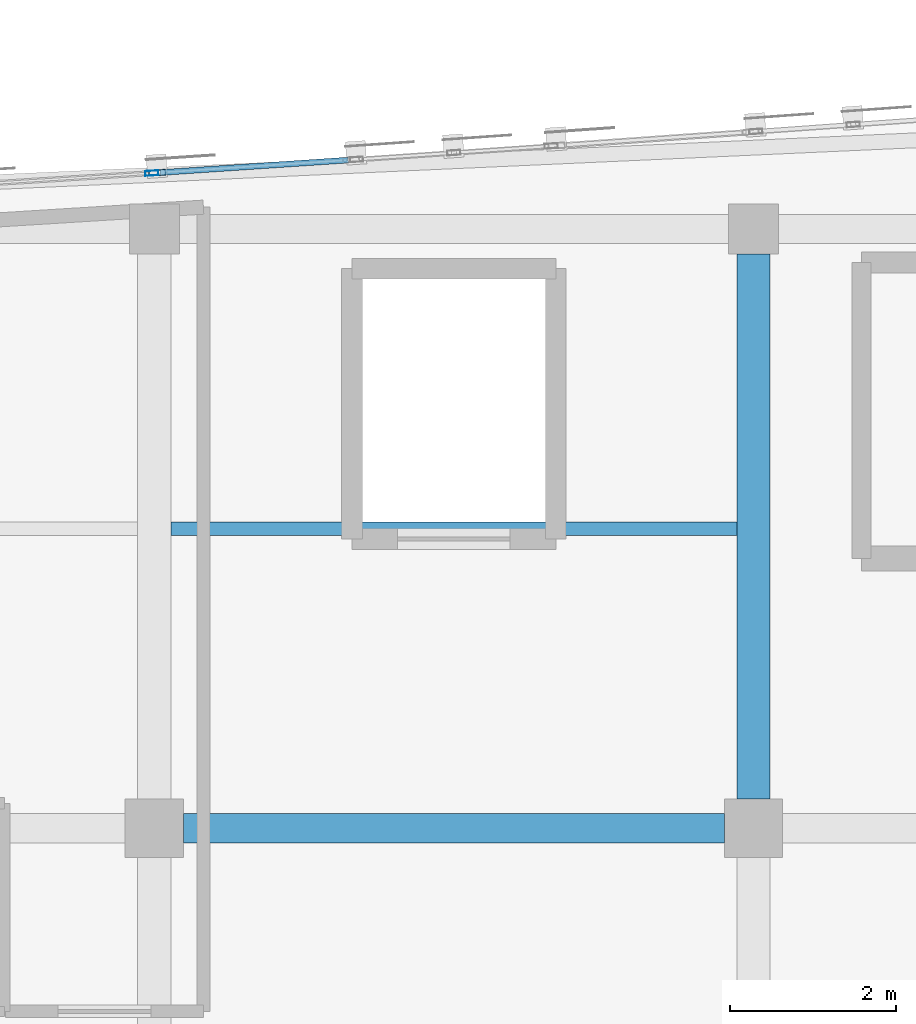
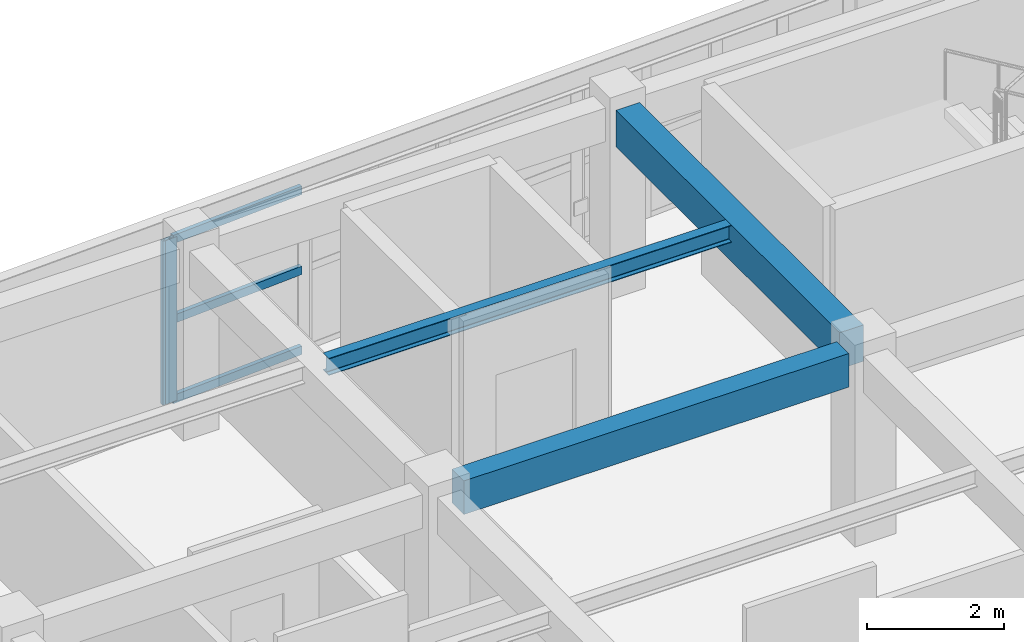
# One storey, part 11 of 73: 5 members, 3 beams, 2 elements without a shape of their own.
"""IFC4 building model written with IfcOpenShell, lengths in metres."""

from ifc_helpers import new_model, si_unit, direction, frame, origin, origin_2d, place, context, subcontext, project, spatial, rectangle, hollow_rectangle, i_section, extrude, material, layer, layer_set, material_profile, profile_set, type_object, element, aggregate, save


model = new_model("IFC4")

# Units and contexts
model_context = context("Model", 3, precision=1e-05, world=origin(), true_north=direction((0.0, 1.0)))
body_context = subcontext(model_context, "Body", "Model", "MODEL_VIEW")
ifc_project = project(units=[si_unit("LENGTHUNIT", "METRE"), si_unit("AREAUNIT", "SQUARE_METRE"), si_unit("VOLUMEUNIT", "CUBIC_METRE"), si_unit("PLANEANGLEUNIT", "RADIAN"), si_unit("MASSUNIT", "GRAM", prefix="KILO")], contexts=[model_context])

# Site, building, storey
site_placement = place(None, origin())
site = spatial("IfcSite", under=ifc_project, at=site_placement, CompositionType="ELEMENT")
building_placement = place(site_placement, origin())
building = spatial("IfcBuilding", under=site, at=building_placement, Name="Carrowvane Square Congress Hotel", CompositionType="ELEMENT")
storey_placement = place(building_placement, frame((0.0, 0.0, 19.199951171875)))
storey = spatial("IfcBuildingStorey", under=building, at=storey_placement, Name="L04", CompositionType="ELEMENT", Elevation=19.199951171875)

# Beams
ifc_material_1 = material(Name="Concrete C35/45", Category="concrete")
ifc_material_profile_1 = material_profile(ifc_material_1, rectangle(XDim=0.35009765625, YDim=0.60009765625, at=origin_2d()), Name="RC 350x600")
ifc_profile_set_1 = profile_set([ifc_material_profile_1], Name="Concrete C35/45")
beam_type_1 = type_object("IfcBeamType", Name="BM-RC-350x600", PredefinedType="BEAM", material=ifc_profile_set_1)
beam_1_placement = place(storey_placement, frame((47.949951171875, 106.199951171875, 3.050048828125), z_axis=(1.0, 0.0, 0.0), x_axis=(0.0, 1.0, 0.0)))
element("IfcBeam", 1, at=beam_1_placement, inside=storey, type_object=beam_type_1, Name="L05 girder Q/6-7", PredefinedType="BEAM", context=body_context, shape_type="SweptSolid", body=[
    extrude(rectangle(XDim=0.35009765625, YDim=0.60009765625, at=origin_2d()), origin(), (0.0, 0.0, 1.0), 6.5),
])
ifc_material_2 = material(Name="Concrete C35/45", Category="concrete")
ifc_material_profile_2 = material_profile(ifc_material_2, rectangle(XDim=0.39990234375, YDim=0.64990234375, at=origin_2d()), Name="RC 400x650")
ifc_profile_set_2 = profile_set([ifc_material_profile_2], Name="Concrete C35/45")
beam_type_2 = type_object("IfcBeamType", Name="BM-RC-400x650", PredefinedType="BEAM", material=ifc_profile_set_2)
beam_2_placement = place(storey_placement, frame((54.800048828125, 106.550048828125, 3.025146484375), z_axis=(0.0, 1.0, 0.0), x_axis=(-1.0, 0.0, 0.0)))
element("IfcBeam", 2, at=beam_2_placement, inside=storey, type_object=beam_type_2, Name="L05 girder 7/Q-R", PredefinedType="BEAM", context=body_context, shape_type="SweptSolid", body=[
    extrude(rectangle(XDim=0.39990234375, YDim=0.64990234375, at=origin_2d()), origin(), (0.0, 0.0, 1.0), 6.550048828125),
])
ifc_material_3 = material(Name="Steel S355", Category="steel")
ifc_material_profile_3 = material_profile(ifc_material_3, i_section(OverallWidth=0.165771484375, OverallDepth=0.306640625, WebThickness=0.006591796875, FlangeThickness=0.01171875, FilletRadius=0.0087890625, at=origin_2d()), Name="UKB 305x165x46")
ifc_profile_set_3 = profile_set([ifc_material_profile_3], Name="Steel S355")
beam_type_3 = type_object("IfcBeamType", Name="BM-ST-UKB305", PredefinedType="JOIST", material=ifc_profile_set_3)
beam_3_placement = place(storey_placement, frame((47.800048828125, 109.800048828125, 3.19677734375), z_axis=(1.0, 0.0, 0.0), x_axis=(0.0, 1.0, 0.0)))
element("IfcBeam", 3, at=beam_3_placement, inside=storey, type_object=beam_type_3, Name="L05 secondary joist 6-7", PredefinedType="JOIST", context=body_context, shape_type="SweptSolid", body=[
    extrude(i_section(OverallWidth=0.165771484375, OverallDepth=0.306640625, WebThickness=0.006591796875, FlangeThickness=0.01171875, FilletRadius=0.0087890625, at=origin_2d()), origin(), (0.0, 0.0, 1.0), 6.800048828125),
])

# Curtain wall, member
ifc_material_4 = material(Name="Anodised aluminium", Category="aluminium")
ifc_layer_1 = layer(ifc_material_4, 0.18603515625)
ifc_layer_set_1 = layer_set([ifc_layer_1], Name="Anodised aluminium")
curtain_wall_type_1 = type_object("IfcCurtainWallType", Name="CW-SYS-3", PredefinedType="NOTDEFINED", material=ifc_layer_set_1)
curtain_wall_1_placement = place(storey_placement, origin())
curtain_wall_1 = element("IfcCurtainWall", 4, at=curtain_wall_1_placement, inside=storey, type_object=curtain_wall_type_1, Name="L04 unitised curtain wall 250", PredefinedType="NOTDEFINED")
ifc_material_5 = material(Name="Anodised aluminium", Category="aluminium")
ifc_material_profile_4 = material_profile(ifc_material_5, hollow_rectangle(XDim=0.06005859375, YDim=0.159912109375, WallThickness=0.00390625, at=origin_2d()), Name="CW-ML 60x160x4")
ifc_profile_set_4 = profile_set([ifc_material_profile_4], Name="Anodised aluminium")
member_type_1 = type_object("IfcMemberType", Name="CW-MUL-1", PredefinedType="MULLION", material=ifc_profile_set_4)
member_1_placement = place(storey_placement, frame((47.570068359375, 114.073486328125, 0.0), z_axis=(0.0, 0.0, 1.0), x_axis=(-0.063273487972, 0.997996225303, 0.0)))
member_1 = element("IfcMember", 5, at=member_1_placement, type_object=member_type_1, Name="CW-3 mullion 2", PredefinedType="MULLION", context=body_context, shape_type="SweptSolid", body=[
    extrude(hollow_rectangle(XDim=0.06005859375, YDim=0.159912109375, WallThickness=0.00390625, at=origin_2d()), origin(), (0.0, 0.0, 1.0), 2.925537109375),
])
aggregate(curtain_wall_1, [member_1])

# Curtain wall, members
ifc_material_6 = material(Name="Anodised aluminium", Category="aluminium")
ifc_layer_2 = layer(ifc_material_6, 0.197998046875)
ifc_layer_set_2 = layer_set([ifc_layer_2], Name="Anodised aluminium")
curtain_wall_type_2 = type_object("IfcCurtainWallType", Name="CW-SYS-4", PredefinedType="NOTDEFINED", material=ifc_layer_set_2)
curtain_wall_2_placement = place(storey_placement, origin())
curtain_wall_2 = element("IfcCurtainWall", 6, at=curtain_wall_2_placement, inside=storey, type_object=curtain_wall_type_2, Name="L04 unitised curtain wall 251", PredefinedType="NOTDEFINED")
ifc_material_7 = material(Name="Anodised aluminium", Category="aluminium")
ifc_material_profile_5 = material_profile(ifc_material_7, hollow_rectangle(XDim=0.070068359375, YDim=0.199951171875, WallThickness=0.0048828125, at=origin_2d()), Name="CW-ML 70x200x5")
ifc_profile_set_5 = profile_set([ifc_material_profile_5], Name="Anodised aluminium")
member_type_2 = type_object("IfcMemberType", Name="CW-MUL-2", PredefinedType="MULLION", material=ifc_profile_set_5)
member_2_placement = place(storey_placement, frame((47.635009765625, 114.07763671875, 0.0), z_axis=(0.0, 0.0, 1.0), x_axis=(-0.066578061501, 0.99778121937, 0.0)))
member_2 = element("IfcMember", 7, at=member_2_placement, type_object=member_type_2, Name="CW-4 mullion 1", PredefinedType="MULLION", context=body_context, shape_type="SweptSolid", body=[
    extrude(hollow_rectangle(XDim=0.070068359375, YDim=0.199951171875, WallThickness=0.0048828125, at=origin_2d()), origin(), (0.0, 0.0, 1.0), 2.925537109375),
])
ifc_material_8 = material(Name="Anodised aluminium", Category="aluminium")
ifc_material_profile_6 = material_profile(ifc_material_8, hollow_rectangle(XDim=0.070068359375, YDim=0.14990234375, WallThickness=0.0048828125, at=origin_2d()), Name="CW-TR 70x150x5")
ifc_profile_set_6 = profile_set([ifc_material_profile_6], Name="Anodised aluminium")
member_type_3 = type_object("IfcMemberType", Name="CW-TRN-2", PredefinedType="USERDEFINED", material=ifc_profile_set_6)
member_3_placement = place(storey_placement, frame((47.669921875, 114.080078125, 0.03515625), z_axis=(0.997786588276, 0.066497550763, 0.0), x_axis=(-0.066497550763, 0.997786588276, 0.0)))
member_3 = element("IfcMember", 8, at=member_3_placement, type_object=member_type_3, Name="CW-4 transom 1.1", ObjectType="TRANSOM", PredefinedType="USERDEFINED", context=body_context, shape_type="SweptSolid", body=[
    extrude(hollow_rectangle(XDim=0.070068359375, YDim=0.14990234375, WallThickness=0.0048828125, at=origin_2d()), origin(), (0.0, 0.0, 1.0), 2.265380859375),
])
member_4_placement = place(storey_placement, frame((47.669921875, 114.080078125, 1.462890625), z_axis=(0.997786588276, 0.066497550763, 0.0), x_axis=(-0.066497550763, 0.997786588276, 0.0)))
member_4 = element("IfcMember", 9, at=member_4_placement, type_object=member_type_3, Name="CW-4 transom 1.2", ObjectType="TRANSOM", PredefinedType="USERDEFINED", context=body_context, shape_type="SweptSolid", body=[
    extrude(hollow_rectangle(XDim=0.070068359375, YDim=0.14990234375, WallThickness=0.0048828125, at=origin_2d()), origin(), (0.0, 0.0, 1.0), 2.265380859375),
])
member_5_placement = place(storey_placement, frame((47.669921875, 114.080078125, 2.890625), z_axis=(0.997786588276, 0.066497550763, 0.0), x_axis=(-0.066497550763, 0.997786588276, 0.0)))
member_5 = element("IfcMember", 10, at=member_5_placement, type_object=member_type_3, Name="CW-4 transom 1.3", ObjectType="TRANSOM", PredefinedType="USERDEFINED", context=body_context, shape_type="SweptSolid", body=[
    extrude(hollow_rectangle(XDim=0.070068359375, YDim=0.14990234375, WallThickness=0.0048828125, at=origin_2d()), origin(), (0.0, 0.0, 1.0), 2.265380859375),
])
aggregate(curtain_wall_2, [member_2, member_3, member_4, member_5])

save(model, "model.ifc")
